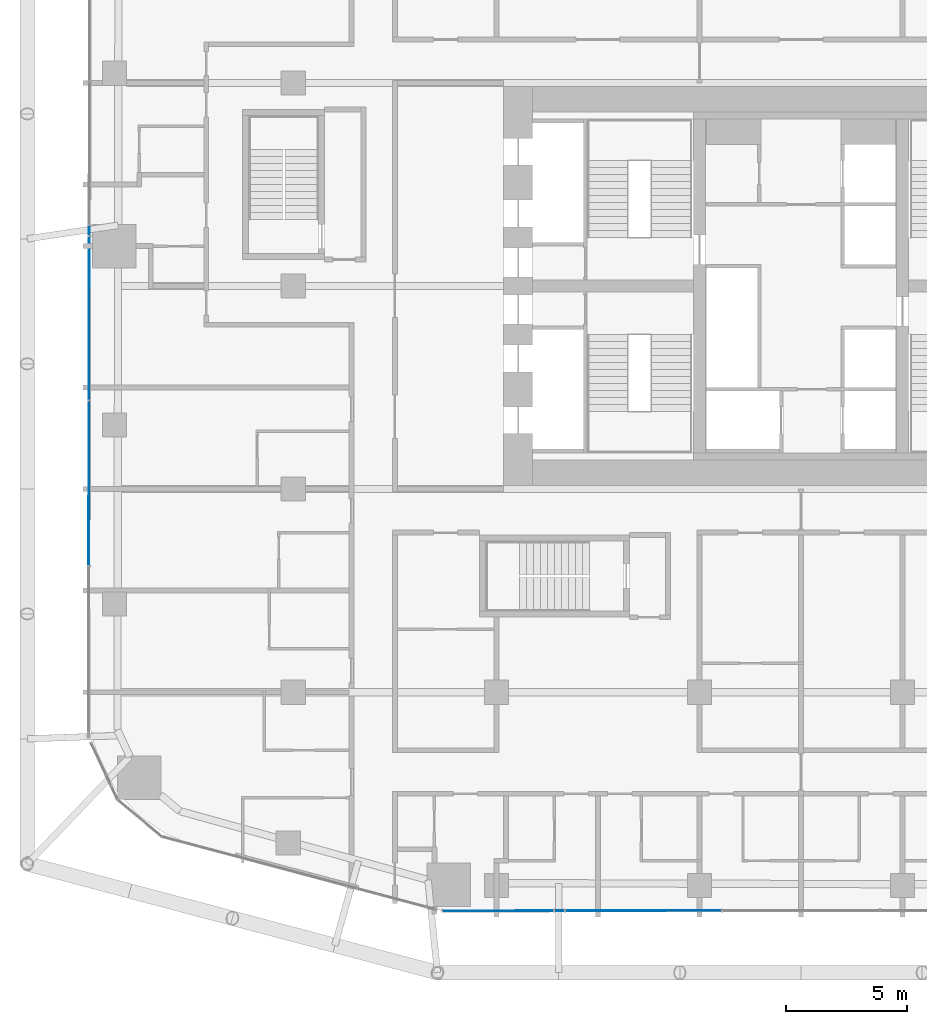
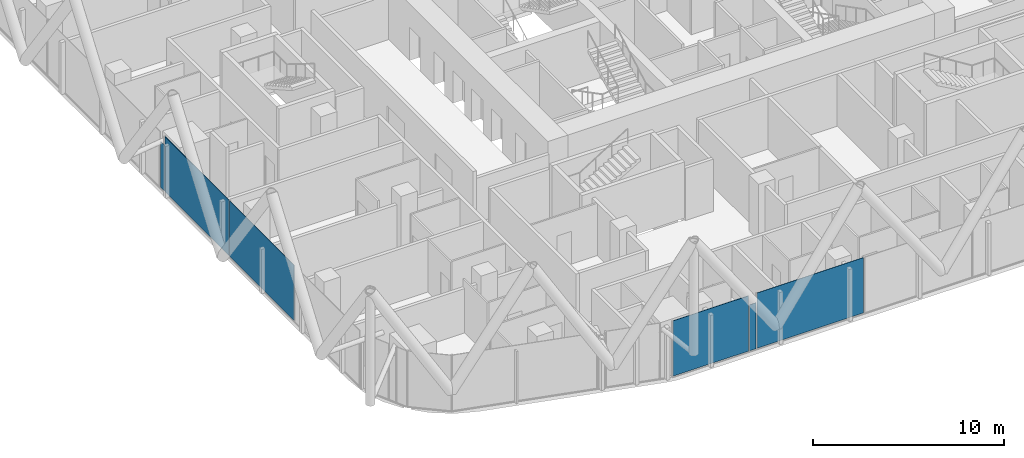
# One storey, part 20 of 38: 6 plates, 5 elements without a shape of their own.
"""IFC4 building model written with IfcOpenShell, lengths in metres."""

from ifc_helpers import new_model, si_unit, direction, frame, origin, origin_2d, place, context, subcontext, project, spatial, rectangle, extrude, material, layer, layer_set, type_object, element, aggregate, save


model = new_model("IFC4")

# Units and contexts
model_context = context("Model", 3, precision=1e-05, world=origin(), true_north=direction((0.0, 1.0)))
body_context = subcontext(model_context, "Body", "Model", "MODEL_VIEW")
ifc_project = project(units=[si_unit("LENGTHUNIT", "METRE"), si_unit("AREAUNIT", "SQUARE_METRE"), si_unit("VOLUMEUNIT", "CUBIC_METRE"), si_unit("PLANEANGLEUNIT", "RADIAN"), si_unit("MASSUNIT", "GRAM", prefix="KILO")], contexts=[model_context])

# Site, building, storey
site_placement = place(None, origin())
site = spatial("IfcSite", under=ifc_project, at=site_placement, CompositionType="ELEMENT")
building_placement = place(site_placement, origin())
building = spatial("IfcBuilding", under=site, at=building_placement, Name="Marenta Gate Hotel Tower", CompositionType="ELEMENT")
storey_placement = place(building_placement, frame((0.0, 0.0, 40.10009765625)))
storey = spatial("IfcBuildingStorey", under=building, at=storey_placement, Name="L07", CompositionType="ELEMENT", Elevation=40.10009765625)

# Curtain wall, plate
ifc_material_1 = material(Name="Tinted insulated glass in bronze anodised frame", Category="glass")
ifc_layer_1 = layer(ifc_material_1, 0.1201171875)
ifc_layer_set_1 = layer_set([ifc_layer_1], Name="Tinted insulated glass in bronze anodised frame")
curtain_wall_type = type_object("IfcCurtainWallType", Name="Tower unitised curtain wall CW1", PredefinedType="NOTDEFINED", material=ifc_layer_set_1)
curtain_wall_1_placement = place(storey_placement, origin())
curtain_wall_1 = element("IfcCurtainWall", 1, at=curtain_wall_1_placement, inside=storey, type_object=curtain_wall_type, Name="CW1 run G07", PredefinedType="NOTDEFINED")
ifc_material_2 = material(Name="Tinted insulated glass", Category="glass")
ifc_layer_2 = layer(ifc_material_2, 0.028076171875)
ifc_layer_set_2 = layer_set([ifc_layer_2], Name="Tinted insulated glass")
plate_type = type_object("IfcPlateType", Name="Glass panel CW1 28 mm tinted insulated unit", PredefinedType="CURTAIN_PANEL", material=ifc_layer_set_2)
plate_1_placement = place(storey_placement, frame((-29.4404296875, 10.701904296875, 0.06005859375), z_axis=(0.0, 0.0, 1.0), x_axis=(-0.001528048866, -0.999998832533, 0.0)))
plate_1 = element("IfcPlate", 2, at=plate_1_placement, type_object=plate_type, Name="CW1 panel 1.1", PredefinedType="CURTAIN_PANEL", context=body_context, shape_type="SweptSolid", body=[
    extrude(rectangle(XDim=0.398193359375, YDim=0.028076171875, at=origin_2d()), origin(), (0.0, 0.0, 1.0), 2.9404296875),
])
aggregate(curtain_wall_1, [plate_1])

# Curtain wall, plates
curtain_wall_2_placement = place(storey_placement, origin())
curtain_wall_2 = element("IfcCurtainWall", 3, at=curtain_wall_2_placement, inside=storey, type_object=curtain_wall_type, Name="CW1 run G08", PredefinedType="NOTDEFINED")
plate_2_placement = place(storey_placement, frame((-29.4462890625, 7.068359375, 0.059814453125), z_axis=(0.0, 0.0, 1.0), x_axis=(-0.00156461532, -0.999998775989, 0.0)))
plate_2 = element("IfcPlate", 4, at=plate_2_placement, type_object=plate_type, Name="CW1 panel 1.1", PredefinedType="CURTAIN_PANEL", context=body_context, shape_type="SweptSolid", body=[
    extrude(rectangle(XDim=6.748779296875, YDim=0.028076171875, at=origin_2d()), origin(), (0.0, 0.0, 1.0), 3.5400390625),
])
plate_3_placement = place(storey_placement, frame((-29.456787109375, 0.24462890625, 0.059814453125), z_axis=(0.0, 0.0, 1.0), x_axis=(-0.00156461532, -0.999998775989, 0.0)))
plate_3 = element("IfcPlate", 5, at=plate_3_placement, type_object=plate_type, Name="CW1 panel 2.1", PredefinedType="CURTAIN_PANEL", context=body_context, shape_type="SweptSolid", body=[
    extrude(rectangle(XDim=6.77880859375, YDim=0.028076171875, at=origin_2d()), origin(), (0.0, 0.0, 1.0), 3.5400390625),
])
aggregate(curtain_wall_2, [plate_2, plate_3])

# Curtain wall, plate
curtain_wall_3_placement = place(storey_placement, origin())
curtain_wall_3 = element("IfcCurtainWall", 6, at=curtain_wall_3_placement, inside=storey, type_object=curtain_wall_type, Name="CW1 run G18", PredefinedType="NOTDEFINED")
plate_4_placement = place(storey_placement, frame((-12.528076171875, -17.445068359375, 0.059814453125), z_axis=(0.0, 0.0, 1.0), x_axis=(0.999999318423, 0.001167541525, 0.0)))
plate_4 = element("IfcPlate", 7, at=plate_4_placement, type_object=plate_type, Name="CW1 panel 1.1", PredefinedType="CURTAIN_PANEL", context=body_context, shape_type="SweptSolid", body=[
    extrude(rectangle(XDim=4.565185546875, YDim=0.028076171875, at=origin_2d()), origin(), (0.0, 0.0, 1.0), 3.5400390625),
])
aggregate(curtain_wall_3, [plate_4])

curtain_wall_4_placement = place(storey_placement, origin())
curtain_wall_4 = element("IfcCurtainWall", 8, at=curtain_wall_4_placement, inside=storey, type_object=curtain_wall_type, Name="CW1 run G19", PredefinedType="NOTDEFINED")
plate_5_placement = place(storey_placement, frame((-9.989013671875, -17.442138671875, 0.06005859375), z_axis=(0.0, 0.0, 1.0), x_axis=(0.999999390865, 0.001103752086, 0.0)))
plate_5 = element("IfcPlate", 9, at=plate_5_placement, type_object=plate_type, Name="CW1 panel 1.1", PredefinedType="CURTAIN_PANEL", context=body_context, shape_type="SweptSolid", body=[
    extrude(rectangle(XDim=0.39306640625, YDim=0.028076171875, at=origin_2d()), origin(), (0.0, 0.0, 1.0), 2.9404296875),
])
aggregate(curtain_wall_4, [plate_5])

curtain_wall_5_placement = place(storey_placement, origin())
curtain_wall_5 = element("IfcCurtainWall", 10, at=curtain_wall_5_placement, inside=storey, type_object=curtain_wall_type, Name="CW1 run G20", PredefinedType="NOTDEFINED")
plate_6_placement = place(storey_placement, frame((-6.510986328125, -17.43798828125, 0.059814453125), z_axis=(0.0, 0.0, 1.0), x_axis=(0.999999323345, 0.001163317936, 0.0)))
plate_6 = element("IfcPlate", 11, at=plate_6_placement, type_object=plate_type, Name="CW1 panel 1.1", PredefinedType="CURTAIN_PANEL", context=body_context, shape_type="SweptSolid", body=[
    extrude(rectangle(XDim=6.443115234375, YDim=0.028076171875, at=origin_2d()), origin(), (0.0, 0.0, 1.0), 3.5400390625),
])
aggregate(curtain_wall_5, [plate_6])

save(model, "model.ifc")
